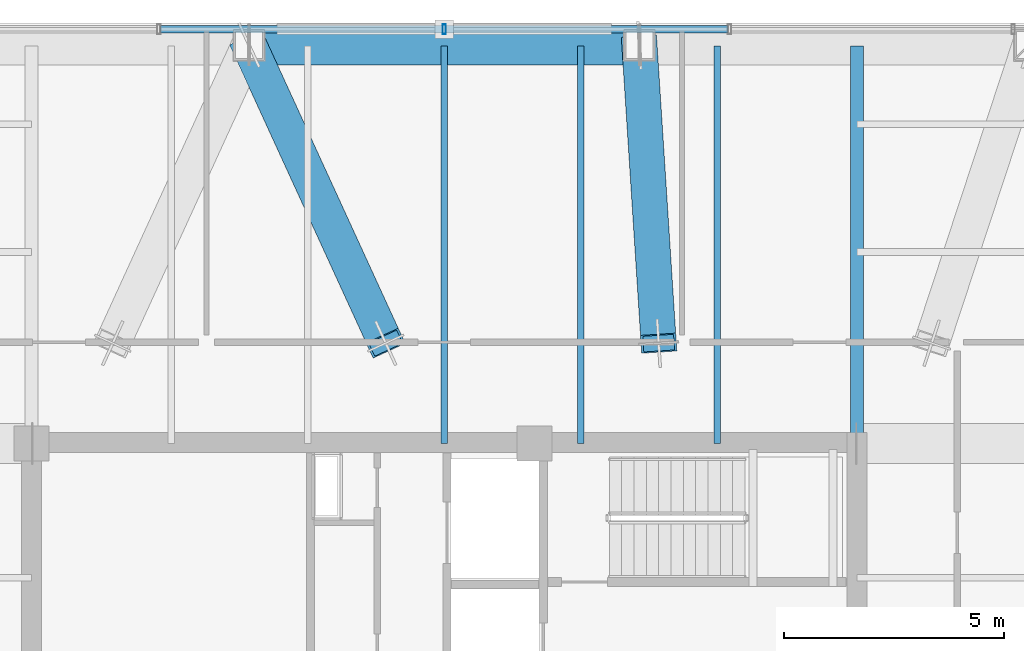
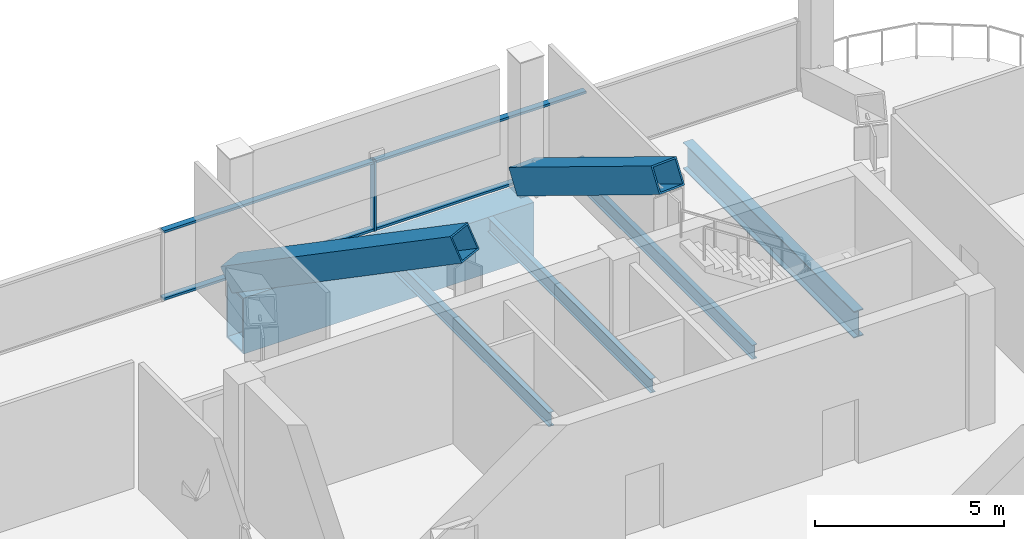
# One storey, part 12 of 19: 7 members, 5 beams, 1 element without a shape of its own.
"""IFC4 building model written with IfcOpenShell, lengths in metres."""

from ifc_helpers import new_model, si_unit, direction, frame, origin, origin_2d, place, context, subcontext, project, spatial, hollow_rectangle, i_section, extrude, material, layer, layer_set, material_profile, profile_set, type_object, element, aggregate, save


model = new_model("IFC4")

# Units and contexts
model_context = context("Model", 3, precision=1e-05, world=origin(), true_north=direction((0.0, 1.0)))
body_context = subcontext(model_context, "Body", "Model", "MODEL_VIEW")
ifc_project = project(units=[si_unit("LENGTHUNIT", "METRE"), si_unit("AREAUNIT", "SQUARE_METRE"), si_unit("VOLUMEUNIT", "CUBIC_METRE"), si_unit("PLANEANGLEUNIT", "RADIAN"), si_unit("MASSUNIT", "GRAM", prefix="KILO")], contexts=[model_context])

# Site, building, storey
site_placement = place(None, origin())
site = spatial("IfcSite", under=ifc_project, at=site_placement, CompositionType="ELEMENT")
building_placement = place(site_placement, origin())
building = spatial("IfcBuilding", under=site, at=building_placement, Name="Qhalaya Broadcast Tower", CompositionType="ELEMENT")
storey_placement = place(building_placement, frame((0.0, 0.0, 226.949951171875)))
storey = spatial("IfcBuildingStorey", under=building, at=storey_placement, Name="L67", CompositionType="ELEMENT", Elevation=226.949951171875)

# Beams
ifc_material_1 = material(Name="Structural Steel ASTM A572 Grade 50", Category="steel")
ifc_material_profile_1 = material_profile(ifc_material_1, hollow_rectangle(XDim=0.89990234375, YDim=1.800048828125, WallThickness=0.06005859375, at=origin_2d()), Name="BOX 900x1800x60")
ifc_profile_set_1 = profile_set([ifc_material_profile_1], Name="Structural Steel ASTM A572 Grade 50")
beam_type_1 = type_object("IfcBeamType", Name="Block Cantilever Transfer Box Girder TG1", PredefinedType="USERDEFINED", material=ifc_profile_set_1)
beam_1_placement = place(storey_placement, frame((4.433349609375, 19.0, -1.08984375), z_axis=(-1.0, 0.0, 0.0), x_axis=(0.0, -1.0, 0.0)))
element("IfcBeam", 1, at=beam_1_placement, inside=storey, type_object=beam_type_1, Name="L67 TG1 L67-SPR-10", ObjectType="GIRDER", PredefinedType="USERDEFINED", context=body_context, shape_type="SweptSolid", body=[
    extrude(hollow_rectangle(XDim=0.89990234375, YDim=1.800048828125, WallThickness=0.06005859375, at=origin_2d()), origin(), (0.0, 0.0, 1.0), 8.86669921875),
])
ifc_material_2 = material(Name="Structural Steel ASTM A992 Grade 50", Category="steel")
ifc_material_profile_2 = material_profile(ifc_material_2, i_section(OverallWidth=0.154052734375, OverallDepth=0.458984375, WebThickness=0.009033203125, FlangeThickness=0.015380859375, at=origin_2d()), Name="W18X46")
ifc_profile_set_2 = profile_set([ifc_material_profile_2], Name="Structural Steel ASTM A992 Grade 50")
beam_type_2 = type_object("IfcBeamType", Name="Composite Floor Joist J04", PredefinedType="JOIST", material=ifc_profile_set_2)
for number, where, z_axis, x_axis, name in (
    (2, (0.0, 9.949951171875, -0.41943359375), (0.0, 1.0, 0.0), (-1.0, 0.0, 0.0), "L67 J04 L67-JNN3-1"),
    (3, (3.10009765625, 9.949951171875, -0.41943359375), (0.0, 1.0, 0.0), (-1.0, 0.0, 0.0), "L67 J04 L67-JNN4-1"),
    (4, (6.199951171875, 9.949951171875, -0.41943359375), (0.0, 1.0, 0.0), (-1.0, 0.0, 0.0), "L67 J04 L67-JNN5-1"),
):
    element("IfcBeam", number, at=place(storey_placement, frame(where, z_axis=z_axis, x_axis=x_axis)), inside=storey, type_object=beam_type_2, Name=name, PredefinedType="JOIST", context=body_context, shape_type="SweptSolid", body=[
        extrude(i_section(OverallWidth=0.154052734375, OverallDepth=0.458984375, WebThickness=0.009033203125, FlangeThickness=0.015380859375, at=origin_2d()), origin(), (0.0, 0.0, 1.0), 9.030029296875),
    ])

# Curtain wall, members
ifc_material_3 = material(Name="Fired Architectural Terracotta", Category="masonry")
ifc_layer = layer(ifc_material_3, 0.219970703125, Name="Fired Architectural Terracotta")
ifc_layer_set = layer_set([ifc_layer], Name="Fired Architectural Terracotta")
curtain_wall_type = type_object("IfcCurtainWallType", Name="Block-Cap Unitised Terracotta Spandrel Wall CW-07", PredefinedType="NOTDEFINED", material=ifc_layer_set)
curtain_wall_placement = place(storey_placement, origin())
curtain_wall = element("IfcCurtainWall", 5, at=curtain_wall_placement, inside=storey, type_object=curtain_wall_type, Name="L67 Unitised Curtain Wall L67-CW-N", PredefinedType="NOTDEFINED")
ifc_material_4 = material(Name="Anodised Aluminium 6063-T6", Category="aluminium")
ifc_material_profile_3 = material_profile(ifc_material_4, hollow_rectangle(XDim=0.074951171875, YDim=0.219970703125, WallThickness=0.00390625, at=origin_2d()), Name="ALU-MUL 75x220x4")
ifc_profile_set_3 = profile_set([ifc_material_profile_3], Name="Anodised Aluminium 6063-T6")
member_type_1 = type_object("IfcMemberType", Name="Unitised Curtain-Wall Mullion M01", PredefinedType="MULLION", material=ifc_profile_set_3)
member_1_placement = place(storey_placement, frame((0.0, 19.360107421875, 0.0), z_axis=(0.0, 0.0, 1.0), x_axis=(1.0, 0.0, 0.0)))
member_1 = element("IfcMember", 6, at=member_1_placement, type_object=member_type_1, Name="CW-07 mullion 3", PredefinedType="MULLION", context=body_context, shape_type="SweptSolid", body=[
    extrude(hollow_rectangle(XDim=0.074951171875, YDim=0.219970703125, WallThickness=0.00390625, at=origin_2d()), origin(), (0.0, 0.0, 1.0), 2.25),
])
ifc_material_profile_4 = material_profile(ifc_material_4, hollow_rectangle(XDim=0.074951171875, YDim=0.179931640625, WallThickness=0.00390625, at=origin_2d()), Name="ALU-TRN 75x180x4")
ifc_profile_set_4 = profile_set([ifc_material_profile_4], Name="Anodised Aluminium 6063-T6")
member_type_2 = type_object("IfcMemberType", Name="Unitised Curtain-Wall Transom T01", PredefinedType="USERDEFINED", material=ifc_profile_set_4)
member_2_placement = place(storey_placement, frame((-6.443603515625, 19.360107421875, 0.03759765625), z_axis=(1.0, 0.0, 0.0), x_axis=(0.0, 0.0, 1.0)))
member_2 = element("IfcMember", 7, at=member_2_placement, type_object=member_type_2, Name="CW-07 transom 2.1", ObjectType="TRANSOM", PredefinedType="USERDEFINED", context=body_context, shape_type="SweptSolid", body=[
    extrude(hollow_rectangle(XDim=0.074951171875, YDim=0.179931640625, WallThickness=0.00390625, at=origin_2d()), origin(), (0.0, 0.0, 1.0), 6.406005859375),
])
member_3_placement = place(storey_placement, frame((-6.443603515625, 19.360107421875, 2.212646484375), z_axis=(1.0, 0.0, 0.0), x_axis=(0.0, 0.0, 1.0)))
member_3 = element("IfcMember", 8, at=member_3_placement, type_object=member_type_2, Name="CW-07 transom 2.2", ObjectType="TRANSOM", PredefinedType="USERDEFINED", context=body_context, shape_type="SweptSolid", body=[
    extrude(hollow_rectangle(XDim=0.074951171875, YDim=0.179931640625, WallThickness=0.00390625, at=origin_2d()), origin(), (0.0, 0.0, 1.0), 6.406005859375),
])
member_4_placement = place(storey_placement, frame((0.03759765625, 19.360107421875, 0.03759765625), z_axis=(1.0, 0.0, 0.0), x_axis=(0.0, 0.0, 1.0)))
member_4 = element("IfcMember", 9, at=member_4_placement, type_object=member_type_2, Name="CW-07 transom 3.1", ObjectType="TRANSOM", PredefinedType="USERDEFINED", context=body_context, shape_type="SweptSolid", body=[
    extrude(hollow_rectangle(XDim=0.074951171875, YDim=0.179931640625, WallThickness=0.00390625, at=origin_2d()), origin(), (0.0, 0.0, 1.0), 6.406005859375),
])
member_5_placement = place(storey_placement, frame((0.03759765625, 19.360107421875, 2.212646484375), z_axis=(1.0, 0.0, 0.0), x_axis=(0.0, 0.0, 1.0)))
member_5 = element("IfcMember", 10, at=member_5_placement, type_object=member_type_2, Name="CW-07 transom 3.2", ObjectType="TRANSOM", PredefinedType="USERDEFINED", context=body_context, shape_type="SweptSolid", body=[
    extrude(hollow_rectangle(XDim=0.074951171875, YDim=0.179931640625, WallThickness=0.00390625, at=origin_2d()), origin(), (0.0, 0.0, 1.0), 6.406005859375),
])
aggregate(curtain_wall, [member_1, member_2, member_3, member_4, member_5])

# Beam
ifc_material_profile_5 = material_profile(ifc_material_2, i_section(OverallWidth=0.2919921875, OverallDepth=0.85888671875, WebThickness=0.01708984375, FlangeThickness=0.031005859375, at=origin_2d()), Name="W33X169")
ifc_profile_set_5 = profile_set([ifc_material_profile_5], Name="Structural Steel ASTM A992 Grade 50")
beam_type_3 = type_object("IfcBeamType", Name="Upper Block Primary Girder PG4", PredefinedType="USERDEFINED", material=ifc_profile_set_5)
beam_2_placement = place(storey_placement, frame((9.375, 9.949951171875, -0.619384765625), z_axis=(0.0, 1.0, 0.0), x_axis=(-1.0, 0.0, 0.0)))
element("IfcBeam", 11, at=beam_2_placement, inside=storey, type_object=beam_type_3, Name="L67 PG4 L67-PGXN2-1", ObjectType="GIRDER", PredefinedType="USERDEFINED", context=body_context, shape_type="SweptSolid", body=[
    extrude(i_section(OverallWidth=0.2919921875, OverallDepth=0.85888671875, WebThickness=0.01708984375, FlangeThickness=0.031005859375, at=origin_2d()), origin(), (0.0, 0.0, 1.0), 9.030029296875),
])

# Members
ifc_material_profile_6 = material_profile(ifc_material_1, hollow_rectangle(XDim=0.800048828125, YDim=0.800048828125, WallThickness=0.050048828125, at=origin_2d()), Name="BOX 800x800x50")
ifc_profile_set_6 = profile_set([ifc_material_profile_6], Name="Structural Steel ASTM A572 Grade 50")
member_type_3 = type_object("IfcMemberType", Name="Upper Exoskeleton Transfer Strut RK2", PredefinedType="BRACE", material=ifc_profile_set_6)
member_6_placement = place(storey_placement, frame((4.433349609375, 19.0, 0.354736328125), z_axis=(0.055475424633, -0.859884586396, 0.507465245451), x_axis=(0.997925383553, 0.064381121932, 0.0)))
element("IfcMember", 12, at=member_6_placement, inside=storey, type_object=member_type_3, Name="L67 Inclined Exoskeleton Transfer Strut 10", PredefinedType="BRACE", context=body_context, shape_type="SweptSolid", body=[
    extrude(hollow_rectangle(XDim=0.800048828125, YDim=0.800048828125, WallThickness=0.050048828125, at=origin_2d()), origin(), (0.0, 0.0, 1.0), 7.873291015625),
])
member_7_placement = place(storey_placement, frame((-4.433349609375, 19.0, 0.362548828125), z_axis=(0.367350103261, -0.80140180658, 0.472026531081), x_axis=(0.909047231697, 0.416693089149, 0.0)))
element("IfcMember", 13, at=member_7_placement, inside=storey, type_object=member_type_3, Name="L67 Inclined Exoskeleton Transfer Strut 11", PredefinedType="BRACE", context=body_context, shape_type="SweptSolid", body=[
    extrude(hollow_rectangle(XDim=0.800048828125, YDim=0.800048828125, WallThickness=0.050048828125, at=origin_2d()), origin(), (0.0, 0.0, 1.0), 8.44775390625),
])

save(model, "model.ifc")
